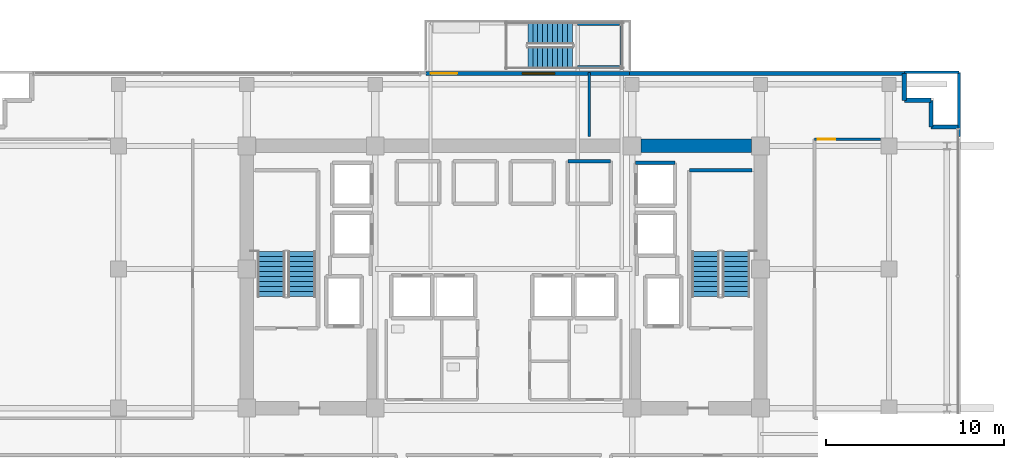
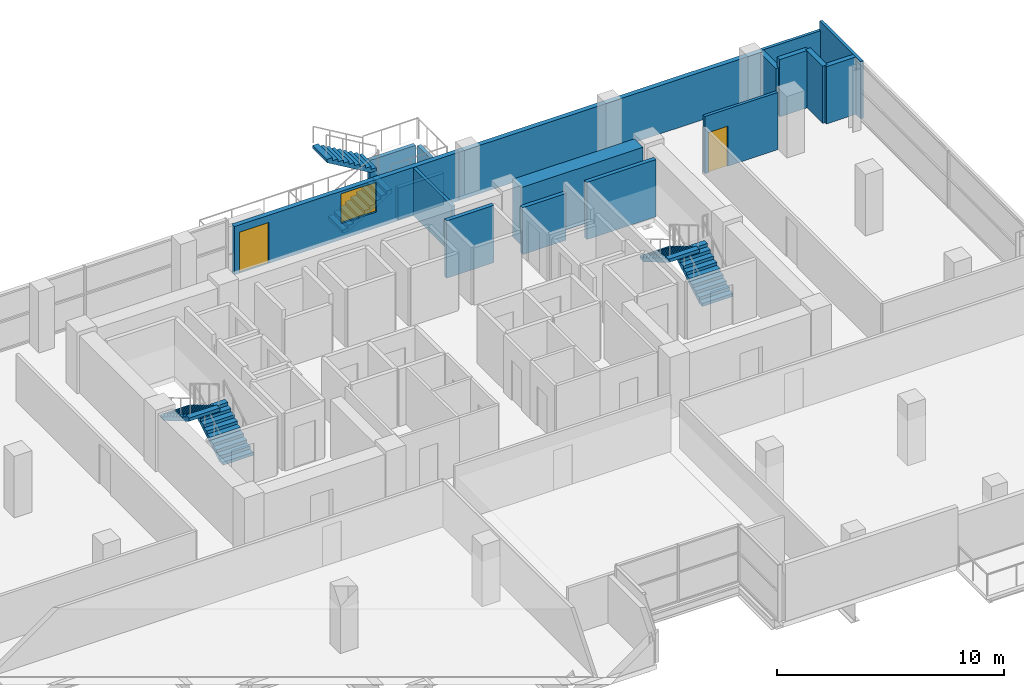
# One storey, part 22 of 27: 17 walls, 6 stair flights, 2 doors, 1 window, 3 openings, 3 elements without a shape of their own.
"""IFC4 building model written with IfcOpenShell, lengths in metres."""

from ifc_helpers import new_model, si_unit, direction, frame, frame_2d, origin, place, context, subcontext, project, spatial, polyline, rectangle, outline, extrude, source, transform, mapped, material, layer, layer_set, type_object, element, fill, aggregate, save


model = new_model("IFC4")

# Units and contexts
model_context = context("Model", 3, precision=1e-05, world=origin(), true_north=direction((0.0, 1.0)))
body_context = subcontext(model_context, "Body", "Model", "MODEL_VIEW")
ifc_project = project(units=[si_unit("LENGTHUNIT", "METRE"), si_unit("AREAUNIT", "SQUARE_METRE"), si_unit("VOLUMEUNIT", "CUBIC_METRE"), si_unit("PLANEANGLEUNIT", "RADIAN"), si_unit("MASSUNIT", "GRAM", prefix="KILO")], contexts=[model_context])

# Site, building, storey
site_placement = place(None, origin())
site = spatial("IfcSite", under=ifc_project, at=site_placement, CompositionType="ELEMENT")
building_placement = place(site_placement, origin())
building = spatial("IfcBuilding", under=site, at=building_placement, Name="Zarnakvel Exchange Tower", CompositionType="ELEMENT")
storey_placement = place(building_placement, frame((0.0, 0.0, 86.800048828125)))
storey = spatial("IfcBuildingStorey", under=building, at=storey_placement, Name="L23", CompositionType="ELEMENT", Elevation=86.800048828125)

# Wall
ifc_material_1 = material(Name="Concrete C60/75", Category="concrete")
ifc_layer_1 = layer(ifc_material_1, 0.75)
ifc_layer_set_1 = layer_set([ifc_layer_1], Name="Concrete C60/75")
wall_type_1 = type_object("IfcWallType", Name="CW-C3", PredefinedType="SHEAR", material=ifc_layer_set_1)
wall_1_placement = place(storey_placement, frame((7.699951171875, 13.5, 0.0), z_axis=(0.0, 0.0, 1.0), x_axis=(1.0, 0.0, 0.0)))
element("IfcWall", 1, at=wall_1_placement, inside=storey, type_object=wall_type_1, Name="L23 Rear Core Shear Wall N3 (CW-C3)", PredefinedType="SHEAR", context=body_context, shape_type="SweptSolid", body=[
    extrude(rectangle(XDim=6.199951171875, YDim=0.75, at=frame_2d((3.10009765625, 0.0))), origin(), (0.0, 0.0, 1.0), 3.074951171875),
])

# Wall, openings, door, window
ifc_material_2 = material(Name="Precast concrete C40/50", Category="concrete")
ifc_layer_2 = layer(ifc_material_2, 0.239990234375)
ifc_layer_set_2 = layer_set([ifc_layer_2], Name="Precast concrete C40/50")
wall_type_2 = type_object("IfcWallType", Name="EW-02", PredefinedType="SOLIDWALL", material=ifc_layer_set_2)
wall_2_placement = place(storey_placement, frame((-4.35009765625, 17.56005859375, 0.0), z_axis=(0.0, 0.0, 1.0), x_axis=(1.0, 0.0, 0.0)))
wall_2 = element("IfcWall", 2, at=wall_2_placement, inside=storey, type_object=wall_type_2, Name="L23 Exterior Precast Spandrel Wall EW-SPTER-L23 (EW-02)", PredefinedType="SOLIDWALL", context=body_context, shape_type="SweptSolid", body=[
    extrude(rectangle(XDim=11.400146484375, YDim=0.239990234375, at=frame_2d((5.7001953125, 0.0))), origin(), (0.0, 0.0, 1.0), 2.58984375),
])
opening_1_placement = place(wall_2_placement, frame((0.25, 0.0, 0.0)))
opening_1 = element("IfcOpeningElement", 3, at=opening_1_placement, cuts=wall_2, Name="Opening TD-L23-SP", PredefinedType="OPENING", context=body_context, shape_type="SweptSolid", body=[
    extrude(rectangle(XDim=1.5, YDim=2.199951171875, at=frame_2d((0.75, 1.10009765625))), frame((0.0, 0.1298828125, 0.0), z_axis=(0.0, -1.0, 0.0), x_axis=(1.0, 0.0, 0.0)), (0.0, 0.0, 1.0), 0.260009765625),
])
opening_2_placement = place(wall_2_placement, frame((5.39990234375, 0.0, 0.85009765625)))
opening_2 = element("IfcOpeningElement", 4, at=opening_2_placement, cuts=wall_2, Name="Opening WN-05", PredefinedType="OPENING", context=body_context, shape_type="SweptSolid", body=[
    extrude(rectangle(XDim=1.800048828125, YDim=1.60009765625, at=frame_2d((0.89990234375, 0.800048828125))), frame((0.0, 0.1298828125, 0.0), z_axis=(0.0, -1.0, 0.0), x_axis=(1.0, 0.0, 0.0)), (0.0, 0.0, 1.0), 0.260009765625),
])
ifc_material_3 = material(Name="Architectural Bronze Anodised Aluminium", Category="aluminium")
door_type_1 = type_object("IfcDoorType", Name="DT-10", OperationType="NOTDEFINED", PredefinedType="DOOR", material=ifc_material_3)
shared_shape_1 = source(origin(), body_context, "Body", "SweptSolid", [
    extrude(rectangle(XDim=1.5, YDim=2.199951171875, at=frame_2d((0.75, 1.10009765625))), frame((0.0, 0.02490234375, 0.0), z_axis=(0.0, -1.0, 0.0), x_axis=(1.0, 0.0, 0.0)), (0.0, 0.0, 1.0), 0.050048828125),
])
door_1_placement = place(opening_1_placement, origin())
door_1 = element("IfcDoor", 5, at=door_1_placement, inside=storey, type_object=door_type_1, Name="L23 Spiral Sky-Terrace Access Door TD-L23-SP", OperationType="DOUBLE_DOOR_SINGLE_SWING", OverallHeight=2.199951171875, OverallWidth=1.5, PredefinedType="DOOR", context=body_context, shape_type="MappedRepresentation", body=[
    mapped(shared_shape_1, transform((0.0, 0.0, 0.0), x_axis=(1.0, 0.0, 0.0), y_axis=(0.0, 1.0, 0.0), z_axis=(0.0, 0.0, 1.0), scale=1.0)),
])
fill(opening_1, door_1)
ifc_material_4 = material(Name="Double Low-E Laminated Vision Glass", Category="glass")
window_type = type_object("IfcWindowType", Name="WN-05", PartitioningType="SINGLE_PANEL", PredefinedType="WINDOW", material=ifc_material_4)
shared_shape_2 = source(origin(), body_context, "Body", "SweptSolid", [
    extrude(rectangle(XDim=1.800048828125, YDim=1.60009765625, at=frame_2d((0.89990234375, 0.800048828125))), frame((0.0, 0.030029296875, 0.0), z_axis=(0.0, -1.0, 0.0), x_axis=(1.0, 0.0, 0.0)), (0.0, 0.0, 1.0), 0.06005859375),
])
window_placement = place(opening_2_placement, origin())
window = element("IfcWindow", 6, at=window_placement, inside=storey, type_object=window_type, Name="L23 Spiral Sky-Terrace Lounge Window", OverallHeight=1.60009765625, OverallWidth=1.800048828125, PartitioningType="SINGLE_PANEL", PredefinedType="WINDOW", context=body_context, shape_type="MappedRepresentation", body=[
    mapped(shared_shape_2, transform((0.0, 0.0, 0.0), x_axis=(1.0, 0.0, 0.0), y_axis=(0.0, 1.0, 0.0), z_axis=(0.0, 0.0, 1.0), scale=1.0)),
])
fill(opening_2, window)

# Walls
wall_3_placement = place(storey_placement, frame((22.4599609375, 17.56005859375, 0.0), z_axis=(0.0, 0.0, 1.0), x_axis=(-1.0, 0.0, 0.0)))
element("IfcWall", 7, at=wall_3_placement, inside=storey, type_object=wall_type_2, Name="L23 Exterior Precast Spandrel Wall EWC-L23-06 (EW-02)", PredefinedType="SOLIDWALL", context=body_context, shape_type="SweptSolid", body=[
    extrude(rectangle(XDim=15.409912109375, YDim=0.239990234375, at=frame_2d((7.705078125, 0.0))), origin(), (0.0, 0.0, 1.0), 2.58984375),
])
wall_4_placement = place(storey_placement, frame((22.4599609375, 16.06005859375, 0.0), z_axis=(0.0, 0.0, 1.0), x_axis=(0.0, 1.0, 0.0)))
element("IfcWall", 8, at=wall_4_placement, inside=storey, type_object=wall_type_2, Name="L23 Exterior Precast Spandrel Wall EWC-L23-07 (EW-02)", PredefinedType="SOLIDWALL", context=body_context, shape_type="SweptSolid", body=[
    extrude(rectangle(XDim=1.5, YDim=0.239990234375, at=frame_2d((0.75, 0.0))), origin(), (0.0, 0.0, 1.0), 2.56494140625),
])
for number, where, z_axis, x_axis, name in (
    (9, (23.9599609375, 16.06005859375, 0.0), (0.0, 0.0, 1.0), (-1.0, 0.0, 0.0), "L23 Exterior Precast Spandrel Wall EWC-L23-08 (EW-02)"),
    (10, (23.9599609375, 14.56005859375, 0.0), (0.0, 0.0, 1.0), (0.0, 1.0, 0.0), "L23 Exterior Precast Spandrel Wall EWC-L23-09 (EW-02)"),
    (11, (25.4599609375, 14.56005859375, 0.0), (0.0, 0.0, 1.0), (-1.0, 0.0, 0.0), "L23 Exterior Precast Spandrel Wall EWC-L23-10 (EW-02)"),
):
    element("IfcWall", number, at=place(storey_placement, frame(where, z_axis=z_axis, x_axis=x_axis)), inside=storey, type_object=wall_type_2, Name=name, PredefinedType="SOLIDWALL", context=body_context, shape_type="SweptSolid", body=[
        extrude(rectangle(XDim=1.5, YDim=0.239990234375, at=frame_2d((0.75, 0.0))), origin(), (0.0, 0.0, 1.0), 3.074951171875),
    ])

# Wall, opening, door
ifc_material_5 = material(Name="Fire-Rated Gypsum Stud Partition", Category="gypsum")
ifc_layer_3 = layer(ifc_material_5, 0.14990234375)
ifc_layer_set_3 = layer_set([ifc_layer_3], Name="Fire-Rated Gypsum Stud Partition")
wall_type_3 = type_object("IfcWallType", Name="PT-01", PredefinedType="PARTITIONING", material=ifc_layer_set_3)
wall_5_placement = place(storey_placement, frame((17.429931640625, 13.8798828125, 0.0), z_axis=(0.0, 0.0, 1.0), x_axis=(1.0, 0.0, 0.0)))
wall_5 = element("IfcWall", 12, at=wall_5_placement, inside=storey, type_object=wall_type_3, Name="L23 Partition Wall PWALL-L23-041 (PT-01)", PredefinedType="PARTITIONING", context=body_context, shape_type="SweptSolid", body=[
    extrude(rectangle(XDim=3.699951171875, YDim=0.14990234375, at=frame_2d((1.85009765625, 0.0))), origin(), (0.0, 0.0, 1.0), 3.074951171875),
])
opening_3_placement = place(wall_5_placement, frame((0.179931640625, 0.0, 0.0)))
opening_3 = element("IfcOpeningElement", 13, at=opening_3_placement, cuts=wall_5, Name="Opening D-L23-17", PredefinedType="OPENING", context=body_context, shape_type="SweptSolid", body=[
    extrude(rectangle(XDim=0.97998046875, YDim=2.14990234375, at=frame_2d((0.489990234375, 1.074951171875))), frame((0.0, 0.0849609375, 0.0), z_axis=(0.0, -1.0, 0.0), x_axis=(1.0, 0.0, 0.0)), (0.0, 0.0, 1.0), 0.169921875),
])
ifc_material_6 = material(Name="Timber Acoustic Veneer", Category="wood")
door_type_2 = type_object("IfcDoorType", Name="DT-05", OperationType="NOTDEFINED", PredefinedType="DOOR", material=ifc_material_6)
shared_shape_3 = source(origin(), body_context, "Body", "SweptSolid", [
    extrude(rectangle(XDim=0.97998046875, YDim=2.14990234375, at=frame_2d((0.489990234375, 1.074951171875))), frame((0.0, 0.02490234375, 0.0), z_axis=(0.0, -1.0, 0.0), x_axis=(1.0, 0.0, 0.0)), (0.0, 0.0, 1.0), 0.050048828125),
])
door_2_placement = place(opening_3_placement, origin())
door_2 = element("IfcDoor", 14, at=door_2_placement, inside=storey, type_object=door_type_2, Name="L23 Observation Lounge Door D-L23-17", OperationType="SINGLE_SWING_RIGHT", OverallHeight=2.14990234375, OverallWidth=0.97998046875, PredefinedType="DOOR", context=body_context, shape_type="MappedRepresentation", body=[
    mapped(shared_shape_3, transform((0.0, 0.0, 0.0), x_axis=(1.0, 0.0, 0.0), y_axis=(0.0, 1.0, 0.0), z_axis=(0.0, 0.0, 1.0), scale=1.0)),
])
fill(opening_3, door_2)

# Walls
wall_6_placement = place(storey_placement, frame((4.800048828125, 17.6298828125, 0.0), z_axis=(0.0, 0.0, 1.0), x_axis=(0.0, -1.0, 0.0)))
element("IfcWall", 15, at=wall_6_placement, inside=storey, type_object=wall_type_3, Name="L23 Partition Wall PWALL-L23-046 (PT-01)", PredefinedType="PARTITIONING", context=body_context, shape_type="SweptSolid", body=[
    extrude(rectangle(XDim=3.599853515625, YDim=0.14990234375, at=frame_2d((1.7998046875, 0.0))), origin(), (0.0, 0.0, 1.0), 2.56494140625),
])
wall_7_placement = place(storey_placement, frame((22.4599609375, 17.6298828125, 0.0), z_axis=(0.0, 0.0, 1.0), x_axis=(1.0, 0.0, 0.0)))
element("IfcWall", 16, at=wall_7_placement, inside=storey, type_object=wall_type_3, Name="L23 Partition Wall PWALL-L23-047 (PT-01)", PredefinedType="PARTITIONING", context=body_context, shape_type="SweptSolid", body=[
    extrude(rectangle(XDim=3.070068359375, YDim=0.14990234375, at=frame_2d((1.53515625, 0.0))), origin(), (0.0, 0.0, 1.0), 2.58984375),
])
wall_8_placement = place(storey_placement, frame((25.530029296875, 17.6298828125, 0.0), z_axis=(0.0, 0.0, 1.0), x_axis=(0.0, -1.0, 0.0)))
element("IfcWall", 17, at=wall_8_placement, inside=storey, type_object=wall_type_3, Name="L23 Partition Wall PWALL-L23-048 (PT-01)", PredefinedType="PARTITIONING", context=body_context, shape_type="SweptSolid", body=[
    extrude(rectangle(XDim=3.599853515625, YDim=0.14990234375, at=frame_2d((1.7998046875, 0.0))), origin(), (0.0, 0.0, 1.0), 3.074951171875),
])
ifc_material_7 = material(Name="Concrete C40/50", Category="concrete")
ifc_layer_4 = layer(ifc_material_7, 0.199951171875)
ifc_layer_set_4 = layer_set([ifc_layer_4], Name="Concrete C40/50")
wall_type_4 = type_object("IfcWallType", Name="SW-01", PredefinedType="SOLIDWALL", material=ifc_layer_set_4)
wall_9_placement = place(storey_placement, frame((3.60009765625, 12.64990234375, 0.0), z_axis=(0.0, 0.0, 1.0), x_axis=(1.0, 0.0, 0.0)))
element("IfcWall", 18, at=wall_9_placement, inside=storey, type_object=wall_type_4, Name="L23 PL-04 Hoistway Wall North", PredefinedType="SOLIDWALL", context=body_context, shape_type="SweptSolid", body=[
    extrude(rectangle(XDim=2.39990234375, YDim=0.199951171875, at=frame_2d((1.199951171875, 0.0))), origin(), (0.0, 0.0, 1.0), 3.074951171875),
])
wall_10_placement = place(storey_placement, frame((7.39990234375, 12.550048828125, 0.0), z_axis=(0.0, 0.0, 1.0), x_axis=(1.0, 0.0, 0.0)))
element("IfcWall", 19, at=wall_10_placement, inside=storey, type_object=wall_type_4, Name="L23 PL-12 Hoistway Wall North", PredefinedType="SOLIDWALL", context=body_context, shape_type="SweptSolid", body=[
    extrude(rectangle(XDim=2.2001953125, YDim=0.199951171875, at=frame_2d((1.10009765625, 0.0))), origin(), (0.0, 0.0, 1.0), 2.514892578125),
])
ifc_layer_5 = layer(ifc_material_7, 0.199951171875)
ifc_layer_set_5 = layer_set([ifc_layer_5], Name="Concrete C40/50")
wall_type_5 = type_object("IfcWallType", Name="SW-02", PredefinedType="SOLIDWALL", material=ifc_layer_set_5)
wall_11_placement = place(storey_placement, frame((6.6201171875, 18.0400390625, -0.25), z_axis=(0.0, 0.0, 1.0), x_axis=(0.0, 1.0, 0.0)))
element("IfcWall", 20, at=wall_11_placement, inside=storey, type_object=wall_type_5, Name="L23 Sky-Terrace Stair ST-09 Landing Plinth Wall E", PredefinedType="SOLIDWALL", context=body_context, shape_type="SweptSolid", body=[
    extrude(rectangle(XDim=2.179931640625, YDim=0.199951171875, at=frame_2d((1.08984375, 0.0))), origin(), (0.0, 0.0, 1.0), 1.699951171875),
])
for number, where, z_axis, x_axis, name in (
    (21, (4.14990234375, 17.89990234375, -0.25), (0.0, 0.0, 1.0), (1.0, 0.0, 0.0), "L23 Sky-Terrace Stair ST-09 Landing Plinth Wall S"),
    (22, (4.14990234375, 20.360107421875, -0.25), (0.0, 0.0, 1.0), (1.0, 0.0, 0.0), "L23 Sky-Terrace Stair ST-09 Landing Plinth Wall N"),
):
    element("IfcWall", number, at=place(storey_placement, frame(where, z_axis=z_axis, x_axis=x_axis)), inside=storey, type_object=wall_type_5, Name=name, PredefinedType="SOLIDWALL", context=body_context, shape_type="SweptSolid", body=[
        extrude(rectangle(XDim=2.330078125, YDim=0.199951171875, at=frame_2d((1.1650390625, 0.0))), origin(), (0.0, 0.0, 1.0), 1.699951171875),
    ])
wall_12_placement = place(storey_placement, frame((10.409912109375, 12.1298828125, 0.0), z_axis=(0.0, 0.0, 1.0), x_axis=(1.0, 0.0, 0.0)))
element("IfcWall", 23, at=wall_12_placement, inside=storey, type_object=wall_type_5, Name="L23 Stairwell Core Wall PWALL-L23-005 (SW-02)", PredefinedType="SOLIDWALL", context=body_context, shape_type="SweptSolid", body=[
    extrude(rectangle(XDim=3.52001953125, YDim=0.199951171875, at=frame_2d((1.760009765625, 0.0))), origin(), (0.0, 0.0, 1.0), 3.074951171875),
])

# Stair, stair flights
stair_type_1 = type_object("IfcStairType", Name="STR-01", PredefinedType="HALF_TURN_STAIR", material=ifc_material_7)
stair_1_placement = place(storey_placement, origin())
stair_1 = element("IfcStair", 24, at=stair_1_placement, inside=storey, type_object=stair_type_1, Name="L23 Protected Core Exit Stair ST-01", PredefinedType="HALF_TURN_STAIR")
stair_flight_type_1 = type_object("IfcStairFlightType", Name="FLT-01", PredefinedType="STRAIGHT", material=ifc_material_7)
stair_flight_1_placement = place(storey_placement, frame((-11.31494140625, 5.050048828125, 0.0), z_axis=(0.0, 0.0, 1.0), x_axis=(0.0, 1.0, 0.0)))
stair_flight_1 = element("IfcStairFlight", 25, at=stair_flight_1_placement, type_object=stair_flight_type_1, Name="ST-01 flight 1", NumberOfRisers=10, NumberOfTreads=9, PredefinedType="STRAIGHT", RiserHeight=0.165, TreadLength=0.28, context=body_context, shape_type="SweptSolid", body=[
    extrude(outline(polyline([(0.0, 0.0), (0.0, 0.1650390625), (0.280029296875, 0.1650390625), (0.280029296875, 0.330078125), (0.56005859375, 0.330078125), (0.56005859375, 0.4951171875), (0.840087890625, 0.4951171875), (0.840087890625, 0.659912109375), (1.1201171875, 0.659912109375), (1.1201171875, 0.824951171875), (1.39990234375, 0.824951171875), (1.39990234375, 0.989990234375), (1.679931640625, 0.989990234375), (1.679931640625, 1.155029296875), (1.9599609375, 1.155029296875), (1.9599609375, 1.320068359375), (2.239990234375, 1.320068359375), (2.239990234375, 1.485107421875), (2.52001953125, 1.485107421875), (2.52001953125, 1.64990234375), (2.52001953125, 1.31103515625), (0.295166015625, 0.0), (0.0, 0.0)])), frame((0.0, 0.77490234375, 0.0), z_axis=(0.0, -1.0, 0.0), x_axis=(1.0, 0.0, 0.0)), (0.0, 0.0, 1.0), 1.550048828125),
])
stair_flight_2_placement = place(storey_placement, frame((-13.02490234375, 7.570068359375, 1.64990234375), z_axis=(0.0, 0.0, 1.0), x_axis=(0.0, -1.0, 0.0)))
stair_flight_2 = element("IfcStairFlight", 26, at=stair_flight_2_placement, type_object=stair_flight_type_1, Name="ST-01 flight 2", NumberOfRisers=10, NumberOfTreads=9, PredefinedType="STRAIGHT", RiserHeight=0.165, TreadLength=0.28, context=body_context, shape_type="SweptSolid", body=[
    extrude(outline(polyline([(0.0, 0.0), (0.0, 0.1650390625), (0.280029296875, 0.1650390625), (0.280029296875, 0.330078125), (0.56005859375, 0.330078125), (0.56005859375, 0.4951171875), (0.840087890625, 0.4951171875), (0.840087890625, 0.659912109375), (1.1201171875, 0.659912109375), (1.1201171875, 0.824951171875), (1.39990234375, 0.824951171875), (1.39990234375, 0.989990234375), (1.679931640625, 0.989990234375), (1.679931640625, 1.155029296875), (1.9599609375, 1.155029296875), (1.9599609375, 1.320068359375), (2.239990234375, 1.320068359375), (2.239990234375, 1.485107421875), (2.52001953125, 1.485107421875), (2.52001953125, 1.64990234375), (2.52001953125, 1.31103515625), (0.295166015625, 0.0), (0.0, 0.0)])), frame((0.0, 0.77490234375, 0.0), z_axis=(0.0, -1.0, 0.0), x_axis=(1.0, 0.0, 0.0)), (0.0, 0.0, 1.0), 1.550048828125),
])
aggregate(stair_1, [stair_flight_1, stair_flight_2])

stair_2_placement = place(storey_placement, origin())
stair_2 = element("IfcStair", 27, at=stair_2_placement, inside=storey, type_object=stair_type_1, Name="L23 Protected Core Exit Stair ST-02", PredefinedType="HALF_TURN_STAIR")
stair_flight_3_placement = place(storey_placement, frame((13.02490234375, 5.050048828125, 0.0), z_axis=(0.0, 0.0, 1.0), x_axis=(0.0, 1.0, 0.0)))
stair_flight_3 = element("IfcStairFlight", 28, at=stair_flight_3_placement, type_object=stair_flight_type_1, Name="ST-02 flight 1", NumberOfRisers=10, NumberOfTreads=9, PredefinedType="STRAIGHT", RiserHeight=0.165, TreadLength=0.28, context=body_context, shape_type="SweptSolid", body=[
    extrude(outline(polyline([(0.0, 0.0), (0.0, 0.1650390625), (0.280029296875, 0.1650390625), (0.280029296875, 0.330078125), (0.56005859375, 0.330078125), (0.56005859375, 0.4951171875), (0.840087890625, 0.4951171875), (0.840087890625, 0.659912109375), (1.1201171875, 0.659912109375), (1.1201171875, 0.824951171875), (1.39990234375, 0.824951171875), (1.39990234375, 0.989990234375), (1.679931640625, 0.989990234375), (1.679931640625, 1.155029296875), (1.9599609375, 1.155029296875), (1.9599609375, 1.320068359375), (2.239990234375, 1.320068359375), (2.239990234375, 1.485107421875), (2.52001953125, 1.485107421875), (2.52001953125, 1.64990234375), (2.52001953125, 1.31103515625), (0.295166015625, 0.0), (0.0, 0.0)])), frame((0.0, 0.77490234375, 0.0), z_axis=(0.0, -1.0, 0.0), x_axis=(1.0, 0.0, 0.0)), (0.0, 0.0, 1.0), 1.550048828125),
])
stair_flight_4_placement = place(storey_placement, frame((11.31494140625, 7.570068359375, 1.64990234375), z_axis=(0.0, 0.0, 1.0), x_axis=(0.0, -1.0, 0.0)))
stair_flight_4 = element("IfcStairFlight", 29, at=stair_flight_4_placement, type_object=stair_flight_type_1, Name="ST-02 flight 2", NumberOfRisers=10, NumberOfTreads=9, PredefinedType="STRAIGHT", RiserHeight=0.165, TreadLength=0.28, context=body_context, shape_type="SweptSolid", body=[
    extrude(outline(polyline([(0.0, 0.0), (0.0, 0.1650390625), (0.280029296875, 0.1650390625), (0.280029296875, 0.330078125), (0.56005859375, 0.330078125), (0.56005859375, 0.4951171875), (0.840087890625, 0.4951171875), (0.840087890625, 0.659912109375), (1.1201171875, 0.659912109375), (1.1201171875, 0.824951171875), (1.39990234375, 0.824951171875), (1.39990234375, 0.989990234375), (1.679931640625, 0.989990234375), (1.679931640625, 1.155029296875), (1.9599609375, 1.155029296875), (1.9599609375, 1.320068359375), (2.239990234375, 1.320068359375), (2.239990234375, 1.485107421875), (2.52001953125, 1.485107421875), (2.52001953125, 1.64990234375), (2.52001953125, 1.31103515625), (0.295166015625, 0.0), (0.0, 0.0)])), frame((0.0, 0.77490234375, 0.0), z_axis=(0.0, -1.0, 0.0), x_axis=(1.0, 0.0, 0.0)), (0.0, 0.0, 1.0), 1.550048828125),
])
aggregate(stair_2, [stair_flight_3, stair_flight_4])

stair_type_2 = type_object("IfcStairType", Name="STR-05", PredefinedType="HALF_TURN_STAIR", material=ifc_material_7)
stair_3_placement = place(storey_placement, origin())
stair_3 = element("IfcStair", 30, at=stair_3_placement, inside=storey, type_object=stair_type_2, Name="L23 Spiral Sky-Terrace Connecting Stair ST-09", PredefinedType="HALF_TURN_STAIR")
stair_flight_type_2 = type_object("IfcStairFlightType", Name="FLT-05", PredefinedType="STRAIGHT", material=ifc_material_7)
stair_flight_5_placement = place(storey_placement, frame((1.35009765625, 18.445068359375, 0.0), z_axis=(0.0, 0.0, 1.0), x_axis=(1.0, 0.0, 0.0)))
stair_flight_5 = element("IfcStairFlight", 31, at=stair_flight_5_placement, type_object=stair_flight_type_2, Name="ST-09 flight 1", NumberOfRisers=10, NumberOfTreads=9, PredefinedType="STRAIGHT", RiserHeight=0.165, TreadLength=0.28, context=body_context, shape_type="SweptSolid", body=[
    extrude(outline(polyline([(0.0, 0.0), (0.0, 0.1650390625), (0.280029296875, 0.1650390625), (0.280029296875, 0.330078125), (0.56005859375, 0.330078125), (0.56005859375, 0.4951171875), (0.840087890625, 0.4951171875), (0.840087890625, 0.659912109375), (1.1201171875, 0.659912109375), (1.1201171875, 0.824951171875), (1.39990234375, 0.824951171875), (1.39990234375, 0.989990234375), (1.679931640625, 0.989990234375), (1.679931640625, 1.155029296875), (1.9599609375, 1.155029296875), (1.9599609375, 1.320068359375), (2.239990234375, 1.320068359375), (2.239990234375, 1.485107421875), (2.52001953125, 1.485107421875), (2.52001953125, 1.64990234375), (2.52001953125, 1.31103515625), (0.295166015625, 0.0), (0.0, 0.0)])), frame((0.0, 0.625, 0.0), z_axis=(0.0, -1.0, 0.0), x_axis=(1.0, 0.0, 0.0)), (0.0, 0.0, 1.0), 1.25),
])
stair_flight_6_placement = place(storey_placement, frame((3.8701171875, 19.81494140625, 1.64990234375), z_axis=(0.0, 0.0, 1.0), x_axis=(-1.0, 0.0, 0.0)))
stair_flight_6 = element("IfcStairFlight", 32, at=stair_flight_6_placement, type_object=stair_flight_type_2, Name="ST-09 flight 2", NumberOfRisers=10, NumberOfTreads=9, PredefinedType="STRAIGHT", RiserHeight=0.165, TreadLength=0.28, context=body_context, shape_type="SweptSolid", body=[
    extrude(outline(polyline([(0.0, 0.0), (0.0, 0.1650390625), (0.280029296875, 0.1650390625), (0.280029296875, 0.330078125), (0.56005859375, 0.330078125), (0.56005859375, 0.4951171875), (0.840087890625, 0.4951171875), (0.840087890625, 0.659912109375), (1.1201171875, 0.659912109375), (1.1201171875, 0.824951171875), (1.39990234375, 0.824951171875), (1.39990234375, 0.989990234375), (1.679931640625, 0.989990234375), (1.679931640625, 1.155029296875), (1.9599609375, 1.155029296875), (1.9599609375, 1.320068359375), (2.239990234375, 1.320068359375), (2.239990234375, 1.485107421875), (2.52001953125, 1.485107421875), (2.52001953125, 1.64990234375), (2.52001953125, 1.31103515625), (0.295166015625, 0.0), (0.0, 0.0)])), frame((0.0, 0.625, 0.0), z_axis=(0.0, -1.0, 0.0), x_axis=(1.0, 0.0, 0.0)), (0.0, 0.0, 1.0), 1.25),
])
aggregate(stair_3, [stair_flight_5, stair_flight_6])

save(model, "model.ifc")
